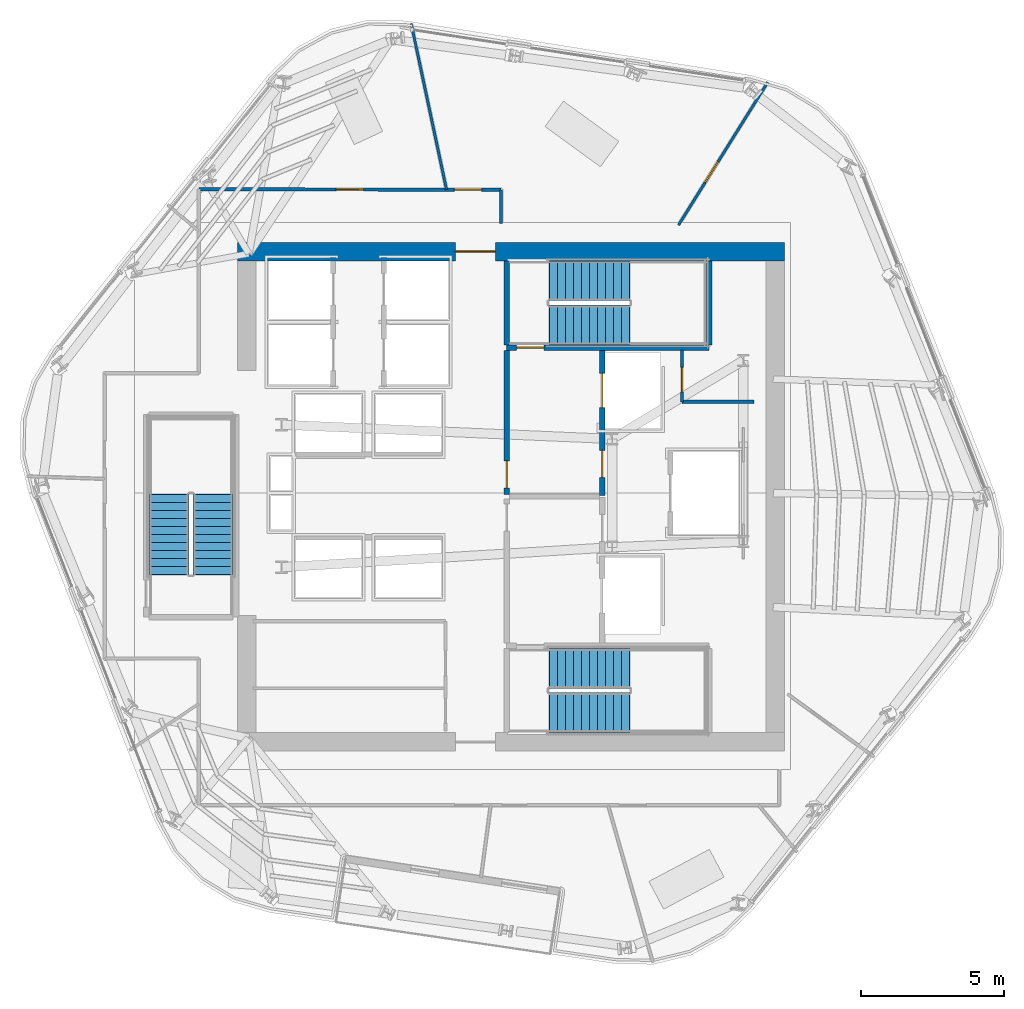
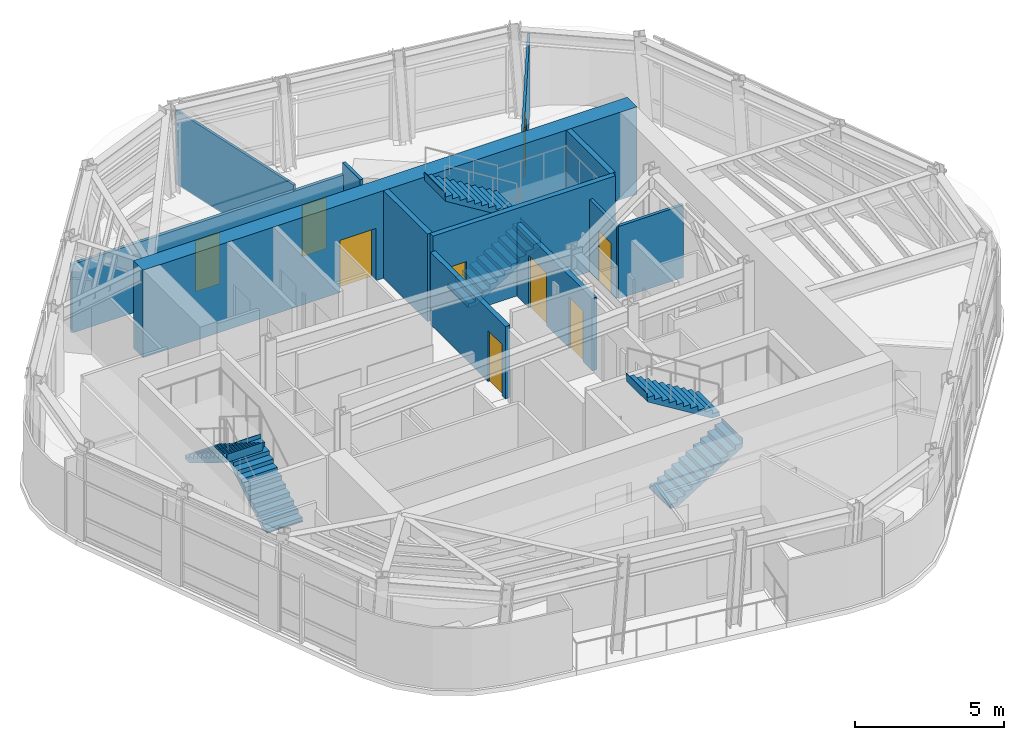
# One storey, part 7 of 12: 12 walls, 9 doors, 6 stair flights, 9 openings, 3 elements without a shape of their own.
"""IFC4 building model written with IfcOpenShell, lengths in metres."""

from ifc_helpers import new_model, si_unit, direction, frame, frame_2d, origin, place, context, subcontext, project, spatial, polyline, rectangle, outline, extrude, material, layer, layer_set, type_object, element, fill, aggregate, save


model = new_model("IFC4")

# Units and contexts
model_context = context("Model", 3, precision=1e-05, world=origin(), true_north=direction((0.0, 1.0)))
body_context = subcontext(model_context, "Body", "Model", "MODEL_VIEW")
ifc_project = project(units=[si_unit("LENGTHUNIT", "METRE"), si_unit("AREAUNIT", "SQUARE_METRE"), si_unit("VOLUMEUNIT", "CUBIC_METRE"), si_unit("PLANEANGLEUNIT", "RADIAN"), si_unit("MASSUNIT", "GRAM", prefix="KILO")], contexts=[model_context])

# Site, building, storey
site_placement = place(None, origin())
site = spatial("IfcSite", under=ifc_project, at=site_placement, CompositionType="ELEMENT")
building_placement = place(site_placement, origin())
building = spatial("IfcBuilding", under=site, at=building_placement, Name="Valkerne Bourse Tower", CompositionType="ELEMENT")
storey_placement = place(building_placement, frame((0.0, 0.0, 243.60009765625)))
storey = spatial("IfcBuildingStorey", under=building, at=storey_placement, Name="L62", CompositionType="ELEMENT", Elevation=243.60009765625)

# Wall, opening, door
ifc_material_1 = material(Name="Concrete C55/67", Category="concrete")
ifc_layer_1 = layer(ifc_material_1, 0.64990234375)
ifc_layer_set_1 = layer_set([ifc_layer_1], Name="Concrete C55/67")
wall_type_1 = type_object("IfcWallType", Name="W-CORE-650", PredefinedType="SHEAR", material=ifc_layer_set_1)
wall_1_placement = place(storey_placement, frame((37.199951171875, 35.47509765625, 0.0), z_axis=(0.0, 0.0, 1.0), x_axis=(1.0, 0.0, 0.0)))
wall_1 = element("IfcWall", 1, at=wall_1_placement, inside=storey, type_object=wall_type_1, Name="L62 Core Shear Wall NORTH", PredefinedType="SHEAR", context=body_context, shape_type="SweptSolid", body=[
    extrude(rectangle(XDim=19.199951171875, YDim=0.64990234375, at=frame_2d((9.60009765625, 0.0))), origin(), (0.0, 0.0, 1.0), 3.599853515625),
])
opening_1_placement = place(wall_1_placement, frame((7.64990234375, 0.0, 0.0)))
opening_1 = element("IfcOpeningElement", 2, at=opening_1_placement, cuts=wall_1, Name="Opening D-PL-1400", PredefinedType="OPENING", context=body_context, shape_type="SweptSolid", body=[
    extrude(rectangle(XDim=1.39990234375, YDim=2.14990234375, at=frame_2d((0.699951171875, 1.074951171875))), frame((0.0, 0.3349609375, 0.0), z_axis=(0.0, -1.0, 0.0), x_axis=(1.0, 0.0, 0.0)), (0.0, 0.0, 1.0), 0.669921875),
])
ifc_material_2 = material(Name="Galvanised Painted Steel", Category="steel")
door_type_1 = type_object("IfcDoorType", Name="DR-PLT-1400", OperationType="DOUBLE_DOOR_SINGLE_SWING", PredefinedType="DOOR", material=ifc_material_2)
door_1_placement = place(opening_1_placement, origin())
door_1 = element("IfcDoor", 3, at=door_1_placement, inside=storey, type_object=door_type_1, Name="L62 North Passenger Lift Hall Fire Door", OperationType="DOUBLE_DOOR_SINGLE_SWING", OverallHeight=2.14990234375, OverallWidth=1.39990234375, PredefinedType="DOOR", context=body_context, shape_type="SweptSolid", body=[
    extrude(rectangle(XDim=1.39990234375, YDim=2.14990234375, at=frame_2d((0.699951171875, 1.074951171875))), frame((0.0, 0.02490234375, 0.0), z_axis=(0.0, -1.0, 0.0), x_axis=(1.0, 0.0, 0.0)), (0.0, 0.0, 1.0), 0.050048828125),
])
fill(opening_1, door_1)

ifc_material_3 = material(Name="Gypsum Board Steel-Stud Partition", Category="steel")
ifc_layer_2 = layer(ifc_material_3, 0.117919921875)
ifc_layer_set_2 = layer_set([ifc_layer_2], Name="Gypsum Board Steel-Stud Partition")
wall_type_2 = type_object("IfcWallType", Name="W-CORR-140", PredefinedType="PARTITIONING", material=ifc_layer_set_2)
wall_2_placement = place(storey_placement, frame((52.800048828125, 30.199951171875, 0.0), z_axis=(0.0, 0.0, 1.0), x_axis=(0.0, 1.0, 0.0)))
wall_2 = element("IfcWall", 4, at=wall_2_placement, inside=storey, type_object=wall_type_2, Name="L62 Core NE Bay West Wall", PredefinedType="PARTITIONING", context=body_context, shape_type="SweptSolid", body=[
    extrude(rectangle(XDim=1.820068359375, YDim=0.117919921875, at=frame_2d((0.91015625, 0.0))), origin(), (0.0, 0.0, 1.0), 2.977783203125),
])
opening_2_placement = place(wall_2_placement, frame((0.35009765625, 0.0, 0.0)))
opening_2 = element("IfcOpeningElement", 5, at=opening_2_placement, cuts=wall_2, Name="Opening D-WC-900", PredefinedType="OPENING", context=body_context, shape_type="SweptSolid", body=[
    extrude(rectangle(XDim=0.860107421875, YDim=2.050048828125, at=frame_2d((0.43017578125, 1.02490234375))), frame((0.0, 0.06884765625, 0.0), z_axis=(0.0, -1.0, 0.0), x_axis=(1.0, 0.0, 0.0)), (0.0, 0.0, 1.0), 0.137939453125),
])
ifc_material_4 = material(Name="Architectural White Oak Timber", Category="wood")
door_type_2 = type_object("IfcDoorType", Name="DR-WC-900", OperationType="NOTDEFINED", PredefinedType="DOOR", material=ifc_material_4)
door_2_placement = place(opening_2_placement, origin())
door_2 = element("IfcDoor", 6, at=door_2_placement, inside=storey, type_object=door_type_2, Name="L62 Electrical Closet Door", OperationType="SINGLE_SWING_RIGHT", OverallHeight=2.050048828125, OverallWidth=0.860107421875, PredefinedType="DOOR", context=body_context, shape_type="SweptSolid", body=[
    extrude(rectangle(XDim=0.860107421875, YDim=2.050048828125, at=frame_2d((0.43017578125, 1.02490234375))), frame((0.0, 0.02490234375, 0.0), z_axis=(0.0, -1.0, 0.0), x_axis=(1.0, 0.0, 0.0)), (0.0, 0.0, 1.0), 0.050048828125),
])
fill(opening_2, door_2)

# Wall
wall_3_placement = place(storey_placement, frame((52.800048828125, 30.199951171875, 0.0), z_axis=(0.0, 0.0, 1.0), x_axis=(1.0, 0.0, 0.0)))
element("IfcWall", 7, at=wall_3_placement, inside=storey, type_object=wall_type_2, Name="L62 Core NE Bay South Wall", PredefinedType="PARTITIONING", context=body_context, shape_type="SweptSolid", body=[
    extrude(rectangle(XDim=2.52001953125, YDim=0.117919921875, at=frame_2d((1.260009765625, 0.0))), origin(), (0.0, 0.0, 1.0), 2.977783203125),
])

# Wall, openings, doors
wall_4_placement = place(storey_placement, frame((35.85009765625, 37.659912109375, 0.0), z_axis=(0.0, 0.0, 1.0), x_axis=(0.999998216484, -0.001888657755, 0.0)))
wall_4 = element("IfcWall", 8, at=wall_4_placement, inside=storey, type_object=wall_type_2, Name="L62 Corridor Enclosure Wall", PredefinedType="PARTITIONING", context=body_context, shape_type="SweptSolid", body=[
    extrude(rectangle(XDim=10.599853515625, YDim=0.117919921875, at=frame_2d((5.2998046875, 0.0))), origin(), (0.0, 0.0, 1.0), 2.8203125),
])
opening_3_placement = place(wall_4_placement, frame((4.824951171875, 0.0, 0.0)))
opening_3 = element("IfcOpeningElement", 9, at=opening_3_placement, cuts=wall_4, Name="Opening D-OF-950", PredefinedType="OPENING", context=body_context, shape_type="SweptSolid", body=[
    extrude(rectangle(XDim=0.949951171875, YDim=2.10009765625, at=frame_2d((0.47509765625, 1.050048828125))), frame((0.0, 0.06884765625, 0.0), z_axis=(0.0, -1.0, 0.0), x_axis=(1.0, 0.0, 0.0)), (0.0, 0.0, 1.0), 0.137939453125),
])
opening_4_placement = place(wall_4_placement, frame((8.965087890625, 0.0, 0.0)))
opening_4 = element("IfcOpeningElement", 10, at=opening_4_placement, cuts=wall_4, Name="Opening D-OF-950", PredefinedType="OPENING", context=body_context, shape_type="SweptSolid", body=[
    extrude(rectangle(XDim=0.949951171875, YDim=2.10009765625, at=frame_2d((0.47509765625, 1.050048828125))), frame((0.0, 0.06884765625, 0.0), z_axis=(0.0, -1.0, 0.0), x_axis=(1.0, 0.0, 0.0)), (0.0, 0.0, 1.0), 0.137939453125),
])
door_type_3 = type_object("IfcDoorType", Name="DR-OFF-950", OperationType="NOTDEFINED", PredefinedType="DOOR", material=ifc_material_4)
door_3_placement = place(opening_3_placement, origin())
door_3 = element("IfcDoor", 11, at=door_3_placement, inside=storey, type_object=door_type_3, Name="L62 L62 Executive Advisory Suite Office 6 Door", OperationType="SINGLE_SWING_LEFT", OverallHeight=2.10009765625, OverallWidth=0.949951171875, PredefinedType="DOOR", context=body_context, shape_type="SweptSolid", body=[
    extrude(rectangle(XDim=0.949951171875, YDim=2.10009765625, at=frame_2d((0.47509765625, 1.050048828125))), frame((0.0, 0.02490234375, 0.0), z_axis=(0.0, -1.0, 0.0), x_axis=(1.0, 0.0, 0.0)), (0.0, 0.0, 1.0), 0.050048828125),
])
fill(opening_3, door_3)
door_4_placement = place(opening_4_placement, origin())
door_4 = element("IfcDoor", 12, at=door_4_placement, inside=storey, type_object=door_type_3, Name="L62 L62 Executive Economics Study Room 7 Door", OperationType="SINGLE_SWING_LEFT", OverallHeight=2.10009765625, OverallWidth=0.949951171875, PredefinedType="DOOR", context=body_context, shape_type="SweptSolid", body=[
    extrude(rectangle(XDim=0.949951171875, YDim=2.10009765625, at=frame_2d((0.47509765625, 1.050048828125))), frame((0.0, 0.02490234375, 0.0), z_axis=(0.0, -1.0, 0.0), x_axis=(1.0, 0.0, 0.0)), (0.0, 0.0, 1.0), 0.050048828125),
])
fill(opening_4, door_4)

# Wall
wall_5_placement = place(storey_placement, frame((46.449951171875, 37.639892578125, 0.0), z_axis=(0.0, 0.0, 1.0), x_axis=(0.0, -1.0, 0.0)))
element("IfcWall", 13, at=wall_5_placement, inside=storey, type_object=wall_type_2, Name="L62 Corridor Enclosure Wall", PredefinedType="PARTITIONING", context=body_context, shape_type="SweptSolid", body=[
    extrude(rectangle(XDim=1.179931640625, YDim=0.117919921875, at=frame_2d((0.58984375, 0.0))), origin(), (0.0, 0.0, 1.0), 3.2998046875),
])

# Wall, opening, door
ifc_material_5 = material(Name="Gypsum Fire-Rated Shaftwall", Category="gypsum")
ifc_layer_3 = layer(ifc_material_5, 0.179931640625)
ifc_layer_set_3 = layer_set([ifc_layer_3], Name="Gypsum Fire-Rated Shaftwall")
wall_type_3 = type_object("IfcWallType", Name="W-FSAE-180", PredefinedType="PARTITIONING", material=ifc_layer_set_3)
wall_6_placement = place(storey_placement, frame((46.64990234375, 26.9599609375, 0.0), z_axis=(0.0, 0.0, 1.0), x_axis=(0.0, 1.0, 0.0)))
wall_6 = element("IfcWall", 14, at=wall_6_placement, inside=storey, type_object=wall_type_3, Name="L62 FSAE-2 Lobby West Fire Wall", PredefinedType="PARTITIONING", context=body_context, shape_type="SweptSolid", body=[
    extrude(rectangle(XDim=5.0400390625, YDim=0.179931640625, at=frame_2d((2.52001953125, 0.0))), origin(), (0.0, 0.0, 1.0), 2.977783203125),
])
opening_5_placement = place(wall_6_placement, frame((0.219970703125, 0.0, 0.0)))
opening_5 = element("IfcOpeningElement", 15, at=opening_5_placement, cuts=wall_6, Name="Opening D-FS-950", PredefinedType="OPENING", context=body_context, shape_type="SweptSolid", body=[
    extrude(rectangle(XDim=0.949951171875, YDim=2.10009765625, at=frame_2d((0.47509765625, 1.050048828125))), frame((0.0, 0.099853515625, 0.0), z_axis=(0.0, -1.0, 0.0), x_axis=(1.0, 0.0, 0.0)), (0.0, 0.0, 1.0), 0.199951171875),
])
door_type_4 = type_object("IfcDoorType", Name="DR-FSAE-950", OperationType="NOTDEFINED", PredefinedType="DOOR", material=ifc_material_2)
door_5_placement = place(opening_5_placement, origin())
door_5 = element("IfcDoor", 16, at=door_5_placement, inside=storey, type_object=door_type_4, Name="L62 FSAE-2 Hall Link Fire Door", OperationType="SINGLE_SWING_RIGHT", OverallHeight=2.10009765625, OverallWidth=0.949951171875, PredefinedType="DOOR", context=body_context, shape_type="SweptSolid", body=[
    extrude(rectangle(XDim=0.949951171875, YDim=2.10009765625, at=frame_2d((0.47509765625, 1.050048828125))), frame((0.0, 0.02490234375, 0.0), z_axis=(0.0, -1.0, 0.0), x_axis=(1.0, 0.0, 0.0)), (0.0, 0.0, 1.0), 0.050048828125),
])
fill(opening_5, door_5)

# Wall, openings, doors
wall_7_placement = place(storey_placement, frame((50.0, 26.919921875, 0.0), z_axis=(0.0, 0.0, 1.0), x_axis=(0.0, 1.0, 0.0)))
wall_7 = element("IfcWall", 17, at=wall_7_placement, inside=storey, type_object=wall_type_3, Name="L62 FSAE-2 Lobby & Shaft Front Wall", PredefinedType="PARTITIONING", context=body_context, shape_type="SweptSolid", body=[
    extrude(rectangle(XDim=5.080078125, YDim=0.179931640625, at=frame_2d((2.5400390625, 0.0))), origin(), (0.0, 0.0, 1.0), 2.977783203125),
])
opening_6_placement = place(wall_7_placement, frame((3.080078125, 0.0, 0.0)))
opening_6 = element("IfcOpeningElement", 18, at=opening_6_placement, cuts=wall_7, Name="Opening LD-1200", PredefinedType="OPENING", context=body_context, shape_type="SweptSolid", body=[
    extrude(rectangle(XDim=1.199951171875, YDim=2.14990234375, at=frame_2d((0.60009765625, 1.074951171875))), frame((0.0, 0.099853515625, 0.0), z_axis=(0.0, -1.0, 0.0), x_axis=(1.0, 0.0, 0.0)), (0.0, 0.0, 1.0), 0.199951171875),
])
opening_7_placement = place(wall_7_placement, frame((0.6298828125, 0.0, 0.0)))
opening_7 = element("IfcOpeningElement", 19, at=opening_7_placement, cuts=wall_7, Name="Opening D-FS-950", PredefinedType="OPENING", context=body_context, shape_type="SweptSolid", body=[
    extrude(rectangle(XDim=0.949951171875, YDim=2.10009765625, at=frame_2d((0.47509765625, 1.050048828125))), frame((0.0, 0.099853515625, 0.0), z_axis=(0.0, -1.0, 0.0), x_axis=(1.0, 0.0, 0.0)), (0.0, 0.0, 1.0), 0.199951171875),
])
door_6_placement = place(opening_7_placement, origin())
door_6 = element("IfcDoor", 20, at=door_6_placement, inside=storey, type_object=door_type_4, Name="L62 FSAE-2 Lobby Corridor Fire Door", OperationType="SINGLE_SWING_RIGHT", OverallHeight=2.10009765625, OverallWidth=0.949951171875, PredefinedType="DOOR", context=body_context, shape_type="SweptSolid", body=[
    extrude(rectangle(XDim=0.949951171875, YDim=2.10009765625, at=frame_2d((0.47509765625, 1.050048828125))), frame((0.0, 0.02490234375, 0.0), z_axis=(0.0, -1.0, 0.0), x_axis=(1.0, 0.0, 0.0)), (0.0, 0.0, 1.0), 0.050048828125),
])
fill(opening_7, door_6)
ifc_material_6 = material(Name="Stainless Steel AISI 316", Category="steel")
door_type_5 = type_object("IfcDoorType", Name="DR-LIFT-1200", OperationType="DOUBLE_DOOR_SLIDING", PredefinedType="DOOR", material=ifc_material_6)
door_7_placement = place(opening_6_placement, origin())
door_7 = element("IfcDoor", 21, at=door_7_placement, inside=storey, type_object=door_type_5, Name="L62 FSAE-2 Firefighting Lift Landing Door", OperationType="DOUBLE_DOOR_SLIDING", OverallHeight=2.14990234375, OverallWidth=1.199951171875, PredefinedType="DOOR", context=body_context, shape_type="SweptSolid", body=[
    extrude(rectangle(XDim=1.199951171875, YDim=2.14990234375, at=frame_2d((0.60009765625, 1.074951171875))), frame((0.0, 0.02490234375, 0.0), z_axis=(0.0, -1.0, 0.0), x_axis=(1.0, 0.0, 0.0)), (0.0, 0.0, 1.0), 0.050048828125),
])
fill(opening_6, door_7)

# Wall, opening, door
ifc_layer_4 = layer(ifc_material_3, 0.092041015625)
ifc_layer_set_4 = layer_set([ifc_layer_4], Name="Gypsum Board Steel-Stud Partition")
wall_type_4 = type_object("IfcWallType", Name="W-PART-115", PredefinedType="PARTITIONING", material=ifc_layer_set_4)
wall_8_placement = place(storey_placement, frame((52.673828125, 36.39990234375, 0.0), z_axis=(0.0, 0.0, 1.0), x_axis=(0.529913540824, 0.848051672512, 0.0)))
wall_8 = element("IfcWall", 22, at=wall_8_placement, inside=storey, type_object=wall_type_4, Name="L62 Suite Partition P05", PredefinedType="PARTITIONING", context=body_context, shape_type="SweptSolid", body=[
    extrude(rectangle(XDim=5.91064453125, YDim=0.092041015625, at=frame_2d((2.955322265625, 0.0))), origin(), (0.0, 0.0, 1.0), 3.0361328125),
])
opening_8_placement = place(wall_8_placement, frame((1.767578125, 0.0, 0.0)))
opening_8 = element("IfcOpeningElement", 23, at=opening_8_placement, cuts=wall_8, Name="Opening D-WC-900", PredefinedType="OPENING", context=body_context, shape_type="SweptSolid", body=[
    extrude(rectangle(XDim=0.860107421875, YDim=2.050048828125, at=frame_2d((0.43017578125, 1.02490234375))), frame((0.0, 0.055908203125, 0.0), z_axis=(0.0, -1.0, 0.0), x_axis=(1.0, 0.0, 0.0)), (0.0, 0.0, 1.0), 0.112060546875),
])
door_8_placement = place(opening_8_placement, origin())
door_8 = element("IfcDoor", 24, at=door_8_placement, inside=storey, type_object=door_type_2, Name="L62 L62 Occupational Wellness Clinic 9 Suite Door", OperationType="SINGLE_SWING_RIGHT", OverallHeight=2.050048828125, OverallWidth=0.860107421875, PredefinedType="DOOR", context=body_context, shape_type="SweptSolid", body=[
    extrude(rectangle(XDim=0.860107421875, YDim=2.050048828125, at=frame_2d((0.43017578125, 1.02490234375))), frame((0.0, 0.02490234375, 0.0), z_axis=(0.0, -1.0, 0.0), x_axis=(1.0, 0.0, 0.0)), (0.0, 0.0, 1.0), 0.050048828125),
])
fill(opening_8, door_8)

# Wall
wall_9_placement = place(storey_placement, frame((44.537353515625, 37.64501953125, 0.0), z_axis=(0.0, 0.0, 1.0), x_axis=(-0.207919059819, 0.978146034375, 0.0)))
element("IfcWall", 25, at=wall_9_placement, inside=storey, type_object=wall_type_4, Name="L62 Suite Partition P06", PredefinedType="PARTITIONING", context=body_context, shape_type="SweptSolid", body=[
    extrude(rectangle(XDim=5.95556640625, YDim=0.092041015625, at=frame_2d((2.977783203125, 0.0))), origin(), (0.0, 0.0, 1.0), 3.0361328125),
])

# Wall, opening, door
ifc_material_7 = material(Name="Concrete C40/50", Category="concrete")
ifc_layer_5 = layer(ifc_material_7, 0.199951171875)
ifc_layer_set_5 = layer_set([ifc_layer_5], Name="Concrete C40/50")
wall_type_5 = type_object("IfcWallType", Name="W-SHF-200", PredefinedType="SHEAR", material=ifc_layer_set_5)
wall_10_placement = place(storey_placement, frame((46.64990234375, 32.10009765625, 0.0), z_axis=(0.0, 0.0, 1.0), x_axis=(1.0, 0.0, 0.0)))
wall_10 = element("IfcWall", 26, at=wall_10_placement, inside=storey, type_object=wall_type_5, Name="L62 Exit Stair ST-2 Structural Shaft Wall South", PredefinedType="SHEAR", context=body_context, shape_type="SweptSolid", body=[
    extrude(rectangle(XDim=7.10009765625, YDim=0.199951171875, at=frame_2d((3.550048828125, 0.0))), origin(), (0.0, 0.0, 1.0), 3.599853515625),
])
opening_9_placement = place(wall_10_placement, frame((0.35009765625, 0.0, 0.0)))
opening_9 = element("IfcOpeningElement", 27, at=opening_9_placement, cuts=wall_10, Name="Opening D-ST-950", PredefinedType="OPENING", context=body_context, shape_type="SweptSolid", body=[
    extrude(rectangle(XDim=0.949951171875, YDim=2.10009765625, at=frame_2d((0.47509765625, 1.050048828125))), frame((0.0, 0.10986328125, 0.0), z_axis=(0.0, -1.0, 0.0), x_axis=(1.0, 0.0, 0.0)), (0.0, 0.0, 1.0), 0.219970703125),
])
door_type_6 = type_object("IfcDoorType", Name="DR-STAIR-950", OperationType="NOTDEFINED", PredefinedType="DOOR", material=ifc_material_2)
door_9_placement = place(opening_9_placement, origin())
door_9 = element("IfcDoor", 28, at=door_9_placement, inside=storey, type_object=door_type_6, Name="L62 Exit Stair ST-2 Door", OperationType="SINGLE_SWING_LEFT", OverallHeight=2.10009765625, OverallWidth=0.949951171875, PredefinedType="DOOR", context=body_context, shape_type="SweptSolid", body=[
    extrude(rectangle(XDim=0.949951171875, YDim=2.10009765625, at=frame_2d((0.47509765625, 1.050048828125))), frame((0.0, 0.02490234375, 0.0), z_axis=(0.0, -1.0, 0.0), x_axis=(1.0, 0.0, 0.0)), (0.0, 0.0, 1.0), 0.050048828125),
])
fill(opening_9, door_9)

# Walls
for number, where, z_axis, x_axis, name in (
    (29, (46.64990234375, 32.199951171875, 0.0), (0.0, 0.0, 1.0), (0.0, 1.0, 0.0), "L62 Exit Stair ST-2 Structural Shaft Wall West"),
    (30, (53.75, 32.199951171875, 0.0), (0.0, 0.0, 1.0), (0.0, 1.0, 0.0), "L62 Exit Stair ST-2 Structural Shaft Wall East"),
):
    element("IfcWall", number, at=place(storey_placement, frame(where, z_axis=z_axis, x_axis=x_axis)), inside=storey, type_object=wall_type_5, Name=name, PredefinedType="SHEAR", context=body_context, shape_type="SweptSolid", body=[
        extrude(rectangle(XDim=2.949951171875, YDim=0.199951171875, at=frame_2d((1.47509765625, 0.0))), origin(), (0.0, 0.0, 1.0), 3.599853515625),
    ])

# Stair, stair flights
stair_type = type_object("IfcStairType", Name="ST-CORE-1400", PredefinedType="HALF_TURN_STAIR", material=ifc_material_7)
stair_1_placement = place(storey_placement, origin())
stair_1 = element("IfcStair", 31, at=stair_1_placement, inside=storey, type_object=stair_type, Name="L62 ST-1", PredefinedType="HALF_TURN_STAIR")
stair_flight_type = type_object("IfcStairFlightType", Name="STF-CORE-1400", PredefinedType="STRAIGHT", material=ifc_material_7)
stair_flight_1_placement = place(storey_placement, frame((48.14990234375, 19.300048828125, 0.0), z_axis=(0.0, 0.0, 1.0), x_axis=(1.0, 0.0, 0.0)))
stair_flight_1 = element("IfcStairFlight", 32, at=stair_flight_1_placement, type_object=stair_flight_type, Name="ST-1 flight 1", NumberOfRisers=11, NumberOfTreads=10, PredefinedType="STRAIGHT", RiserHeight=0.172727273, TreadLength=0.28, context=body_context, shape_type="SweptSolid", body=[
    extrude(outline(polyline([(-0.02001953125, 0.0), (-0.02001953125, 0.044921875), (0.0, 0.044921875), (0.0, 0.172607421875), (0.280029296875, 0.172607421875), (0.280029296875, 0.345458984375), (0.56005859375, 0.345458984375), (0.56005859375, 0.51806640625), (0.840087890625, 0.51806640625), (0.840087890625, 0.69091796875), (1.1201171875, 0.69091796875), (1.1201171875, 0.863525390625), (1.39990234375, 0.863525390625), (1.39990234375, 1.036376953125), (1.679931640625, 1.036376953125), (1.679931640625, 1.208984375), (1.9599609375, 1.208984375), (1.9599609375, 1.3818359375), (2.239990234375, 1.3818359375), (2.239990234375, 1.554443359375), (2.52001953125, 1.554443359375), (2.52001953125, 1.727294921875), (2.800048828125, 1.727294921875), (2.800048828125, 1.89990234375), (2.820068359375, 1.89990234375), (2.820068359375, 1.780029296875), (2.800048828125, 1.551025390625), (0.285400390625, 0.0), (-0.02001953125, 0.0)])), frame((0.0, 0.699951171875, 0.0), z_axis=(0.0, -1.0, 0.0), x_axis=(1.0, 0.0, 0.0)), (0.0, 0.0, 1.0), 1.39990234375),
])
stair_flight_2_placement = place(storey_placement, frame((50.949951171875, 20.85009765625, 1.89990234375), z_axis=(0.0, 0.0, 1.0), x_axis=(-1.0, 0.0, 0.0)))
stair_flight_2 = element("IfcStairFlight", 33, at=stair_flight_2_placement, type_object=stair_flight_type, Name="ST-1 flight 2", NumberOfRisers=11, NumberOfTreads=10, PredefinedType="STRAIGHT", RiserHeight=0.172727273, TreadLength=0.28, context=body_context, shape_type="SweptSolid", body=[
    extrude(outline(polyline([(-0.02001953125, 0.0), (-0.02001953125, 0.044921875), (0.0, 0.044921875), (0.0, 0.172607421875), (0.280029296875, 0.172607421875), (0.280029296875, 0.345458984375), (0.56005859375, 0.345458984375), (0.56005859375, 0.51806640625), (0.840087890625, 0.51806640625), (0.840087890625, 0.69091796875), (1.1201171875, 0.69091796875), (1.1201171875, 0.863525390625), (1.39990234375, 0.863525390625), (1.39990234375, 1.036376953125), (1.679931640625, 1.036376953125), (1.679931640625, 1.208984375), (1.9599609375, 1.208984375), (1.9599609375, 1.3818359375), (2.239990234375, 1.3818359375), (2.239990234375, 1.554443359375), (2.52001953125, 1.554443359375), (2.52001953125, 1.727294921875), (2.800048828125, 1.727294921875), (2.800048828125, 1.89990234375), (2.820068359375, 1.89990234375), (2.820068359375, 1.780029296875), (2.800048828125, 1.551025390625), (0.285400390625, 0.0), (-0.02001953125, 0.0)])), frame((0.0, 0.699951171875, 0.0), z_axis=(0.0, -1.0, 0.0), x_axis=(1.0, 0.0, 0.0)), (0.0, 0.0, 1.0), 1.39990234375),
])
aggregate(stair_1, [stair_flight_1, stair_flight_2])

stair_2_placement = place(storey_placement, origin())
stair_2 = element("IfcStair", 34, at=stair_2_placement, inside=storey, type_object=stair_type, Name="L62 ST-2", PredefinedType="HALF_TURN_STAIR")
stair_flight_3_placement = place(storey_placement, frame((48.14990234375, 32.89990234375, 0.0), z_axis=(0.0, 0.0, 1.0), x_axis=(1.0, 0.0, 0.0)))
stair_flight_3 = element("IfcStairFlight", 35, at=stair_flight_3_placement, type_object=stair_flight_type, Name="ST-2 flight 1", NumberOfRisers=11, NumberOfTreads=10, PredefinedType="STRAIGHT", RiserHeight=0.172727273, TreadLength=0.28, context=body_context, shape_type="SweptSolid", body=[
    extrude(outline(polyline([(-0.02001953125, 0.0), (-0.02001953125, 0.044921875), (0.0, 0.044921875), (0.0, 0.172607421875), (0.280029296875, 0.172607421875), (0.280029296875, 0.345458984375), (0.56005859375, 0.345458984375), (0.56005859375, 0.51806640625), (0.840087890625, 0.51806640625), (0.840087890625, 0.69091796875), (1.1201171875, 0.69091796875), (1.1201171875, 0.863525390625), (1.39990234375, 0.863525390625), (1.39990234375, 1.036376953125), (1.679931640625, 1.036376953125), (1.679931640625, 1.208984375), (1.9599609375, 1.208984375), (1.9599609375, 1.3818359375), (2.239990234375, 1.3818359375), (2.239990234375, 1.554443359375), (2.52001953125, 1.554443359375), (2.52001953125, 1.727294921875), (2.800048828125, 1.727294921875), (2.800048828125, 1.89990234375), (2.820068359375, 1.89990234375), (2.820068359375, 1.780029296875), (2.800048828125, 1.551025390625), (0.285400390625, 0.0), (-0.02001953125, 0.0)])), frame((0.0, 0.699951171875, 0.0), z_axis=(0.0, -1.0, 0.0), x_axis=(1.0, 0.0, 0.0)), (0.0, 0.0, 1.0), 1.39990234375),
])
stair_flight_4_placement = place(storey_placement, frame((50.949951171875, 34.449951171875, 1.89990234375), z_axis=(0.0, 0.0, 1.0), x_axis=(-1.0, 0.0, 0.0)))
stair_flight_4 = element("IfcStairFlight", 36, at=stair_flight_4_placement, type_object=stair_flight_type, Name="ST-2 flight 2", NumberOfRisers=11, NumberOfTreads=10, PredefinedType="STRAIGHT", RiserHeight=0.172727273, TreadLength=0.28, context=body_context, shape_type="SweptSolid", body=[
    extrude(outline(polyline([(-0.02001953125, 0.0), (-0.02001953125, 0.044921875), (0.0, 0.044921875), (0.0, 0.172607421875), (0.280029296875, 0.172607421875), (0.280029296875, 0.345458984375), (0.56005859375, 0.345458984375), (0.56005859375, 0.51806640625), (0.840087890625, 0.51806640625), (0.840087890625, 0.69091796875), (1.1201171875, 0.69091796875), (1.1201171875, 0.863525390625), (1.39990234375, 0.863525390625), (1.39990234375, 1.036376953125), (1.679931640625, 1.036376953125), (1.679931640625, 1.208984375), (1.9599609375, 1.208984375), (1.9599609375, 1.3818359375), (2.239990234375, 1.3818359375), (2.239990234375, 1.554443359375), (2.52001953125, 1.554443359375), (2.52001953125, 1.727294921875), (2.800048828125, 1.727294921875), (2.800048828125, 1.89990234375), (2.820068359375, 1.89990234375), (2.820068359375, 1.780029296875), (2.800048828125, 1.551025390625), (0.285400390625, 0.0), (-0.02001953125, 0.0)])), frame((0.0, 0.699951171875, 0.0), z_axis=(0.0, -1.0, 0.0), x_axis=(1.0, 0.0, 0.0)), (0.0, 0.0, 1.0), 1.39990234375),
])
aggregate(stair_2, [stair_flight_3, stair_flight_4])

stair_3_placement = place(storey_placement, origin())
stair_3 = element("IfcStair", 37, at=stair_3_placement, inside=storey, type_object=stair_type, Name="L62 ST-3", PredefinedType="HALF_TURN_STAIR")
stair_flight_5_placement = place(storey_placement, frame((36.35009765625, 24.14990234375, 0.0), z_axis=(0.0, 0.0, 1.0), x_axis=(0.0, 1.0, 0.0)))
stair_flight_5 = element("IfcStairFlight", 38, at=stair_flight_5_placement, type_object=stair_flight_type, Name="ST-3 flight 1", NumberOfRisers=11, NumberOfTreads=10, PredefinedType="STRAIGHT", RiserHeight=0.172727273, TreadLength=0.28, context=body_context, shape_type="SweptSolid", body=[
    extrude(outline(polyline([(-0.02001953125, 0.0), (-0.02001953125, 0.044921875), (0.0, 0.044921875), (0.0, 0.172607421875), (0.280029296875, 0.172607421875), (0.280029296875, 0.345458984375), (0.56005859375, 0.345458984375), (0.56005859375, 0.51806640625), (0.840087890625, 0.51806640625), (0.840087890625, 0.69091796875), (1.1201171875, 0.69091796875), (1.1201171875, 0.863525390625), (1.39990234375, 0.863525390625), (1.39990234375, 1.036376953125), (1.679931640625, 1.036376953125), (1.679931640625, 1.208984375), (1.9599609375, 1.208984375), (1.9599609375, 1.3818359375), (2.239990234375, 1.3818359375), (2.239990234375, 1.554443359375), (2.52001953125, 1.554443359375), (2.52001953125, 1.727294921875), (2.800048828125, 1.727294921875), (2.800048828125, 1.89990234375), (2.820068359375, 1.89990234375), (2.820068359375, 1.780029296875), (2.800048828125, 1.551025390625), (0.285400390625, 0.0), (-0.02001953125, 0.0)])), frame((0.0, 0.699951171875, 0.0), z_axis=(0.0, -1.0, 0.0), x_axis=(1.0, 0.0, 0.0)), (0.0, 0.0, 1.0), 1.39990234375),
])
stair_flight_6_placement = place(storey_placement, frame((34.800048828125, 26.949951171875, 1.89990234375), z_axis=(0.0, 0.0, 1.0), x_axis=(0.0, -1.0, 0.0)))
stair_flight_6 = element("IfcStairFlight", 39, at=stair_flight_6_placement, type_object=stair_flight_type, Name="ST-3 flight 2", NumberOfRisers=11, NumberOfTreads=10, PredefinedType="STRAIGHT", RiserHeight=0.172727273, TreadLength=0.28, context=body_context, shape_type="SweptSolid", body=[
    extrude(outline(polyline([(-0.02001953125, 0.0), (-0.02001953125, 0.044921875), (0.0, 0.044921875), (0.0, 0.172607421875), (0.280029296875, 0.172607421875), (0.280029296875, 0.345458984375), (0.56005859375, 0.345458984375), (0.56005859375, 0.51806640625), (0.840087890625, 0.51806640625), (0.840087890625, 0.69091796875), (1.1201171875, 0.69091796875), (1.1201171875, 0.863525390625), (1.39990234375, 0.863525390625), (1.39990234375, 1.036376953125), (1.679931640625, 1.036376953125), (1.679931640625, 1.208984375), (1.9599609375, 1.208984375), (1.9599609375, 1.3818359375), (2.239990234375, 1.3818359375), (2.239990234375, 1.554443359375), (2.52001953125, 1.554443359375), (2.52001953125, 1.727294921875), (2.800048828125, 1.727294921875), (2.800048828125, 1.89990234375), (2.820068359375, 1.89990234375), (2.820068359375, 1.780029296875), (2.800048828125, 1.551025390625), (0.285400390625, 0.0), (-0.02001953125, 0.0)])), frame((0.0, 0.699951171875, 0.0), z_axis=(0.0, -1.0, 0.0), x_axis=(1.0, 0.0, 0.0)), (0.0, 0.0, 1.0), 1.39990234375),
])
aggregate(stair_3, [stair_flight_5, stair_flight_6])

save(model, "model.ifc")
